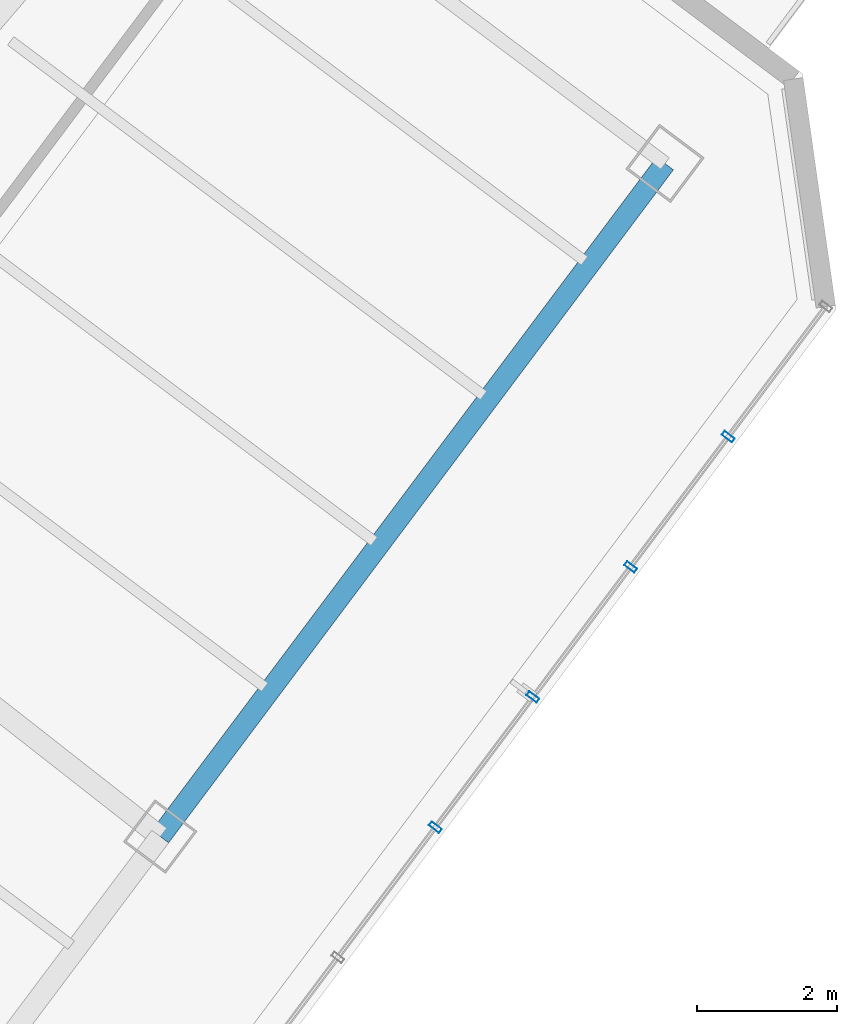
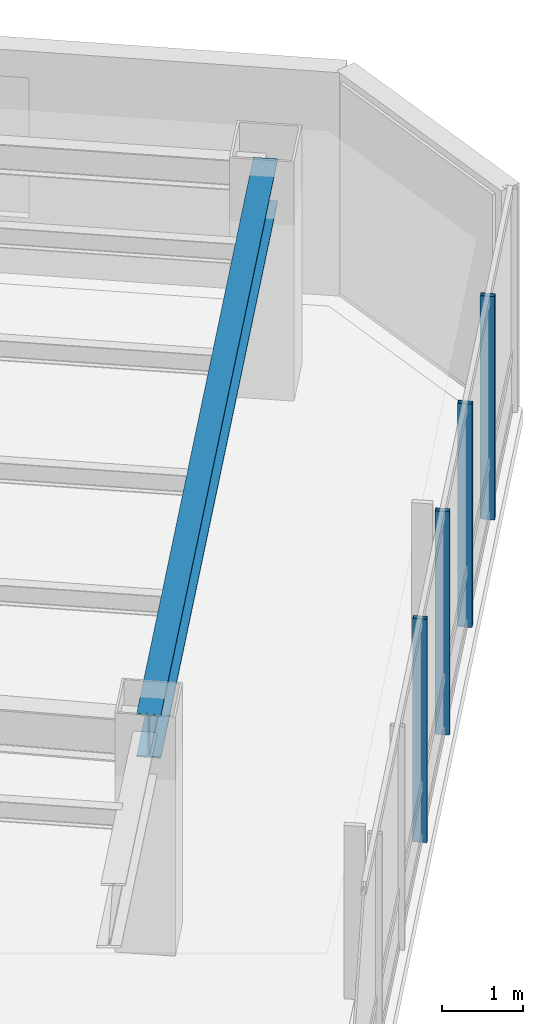
# One storey, part 13 of 28: 4 members, 1 beam, 1 element without a shape of its own.
"""IFC4 building model written with IfcOpenShell, lengths in metres."""

from ifc_helpers import new_model, si_unit, direction, frame, origin, origin_2d, place, context, subcontext, project, spatial, hollow_rectangle, i_section, extrude, material, layer, layer_set, material_profile, profile_set, type_object, element, aggregate, save


model = new_model("IFC4")

# Units and contexts
model_context = context("Model", 3, precision=1e-05, world=origin(), true_north=direction((0.0, 1.0)))
body_context = subcontext(model_context, "Body", "Model", "MODEL_VIEW")
ifc_project = project(units=[si_unit("LENGTHUNIT", "METRE"), si_unit("AREAUNIT", "SQUARE_METRE"), si_unit("VOLUMEUNIT", "CUBIC_METRE"), si_unit("PLANEANGLEUNIT", "RADIAN"), si_unit("MASSUNIT", "GRAM", prefix="KILO")], contexts=[model_context])

# Site, building, storey
site_placement = place(None, origin())
site = spatial("IfcSite", under=ifc_project, at=site_placement, CompositionType="ELEMENT")
building_placement = place(site_placement, origin())
building = spatial("IfcBuilding", under=site, at=building_placement, Name="Hatsunagi Terrace Concourse", CompositionType="ELEMENT")
storey_placement = place(building_placement, frame((0.0, 0.0, 170.85009765625)))
storey = spatial("IfcBuildingStorey", under=building, at=storey_placement, Name="L45", CompositionType="ELEMENT", Elevation=170.85009765625)

# Curtain wall, members
ifc_material_1 = material(Name="Anodised Aluminium Alloy 6063-T5", Category="aluminium")
ifc_layer = layer(ifc_material_1, 0.199951171875)
ifc_layer_set = layer_set([ifc_layer], Name="OfficeZone1_CW03")
curtain_wall_type = type_object("IfcCurtainWallType", Name="OfficeZone1_CW03", PredefinedType="NOTDEFINED", material=ifc_layer_set)
curtain_wall_placement = place(storey_placement, origin())
curtain_wall = element("IfcCurtainWall", 1, at=curtain_wall_placement, inside=storey, type_object=curtain_wall_type, Name="Unitised Curtain Wall CW-03 CW-L45-03", PredefinedType="NOTDEFINED")
ifc_material_2 = material(Name="Anodised Aluminium Alloy 6063-T5", Category="aluminium")
ifc_material_profile_1 = material_profile(ifc_material_2, hollow_rectangle(XDim=0.070068359375, YDim=0.179931640625, WallThickness=0.00390625, at=origin_2d()), Name="ALU-MUL-180x70x4")
ifc_profile_set_1 = profile_set([ifc_material_profile_1], Name="Anodised Aluminium Alloy 6063-T5")
member_type = type_object("IfcMemberType", Name="CurtainWallMullion_180x70", PredefinedType="MULLION", material=ifc_profile_set_1)
member_1_placement = place(storey_placement, frame((59.301025390625, 24.10205078125, 0.0), z_axis=(0.0, 0.0, 1.0), x_axis=(-0.599969314634, -0.800023013105, 0.0)))
member_1 = element("IfcMember", 2, at=member_1_placement, type_object=member_type, Name="Curtain Wall Mullion MUL-02", PredefinedType="MULLION", context=body_context, shape_type="SweptSolid", body=[
    extrude(hollow_rectangle(XDim=0.070068359375, YDim=0.179931640625, WallThickness=0.00390625, at=origin_2d()), origin(), (0.0, 0.0, 1.0), 3.349853515625),
])
member_2_placement = place(storey_placement, frame((57.908935546875, 22.2451171875, 0.0), z_axis=(0.0, 0.0, 1.0), x_axis=(-0.599969314634, -0.800023013105, 0.0)))
member_2 = element("IfcMember", 3, at=member_2_placement, type_object=member_type, Name="Curtain Wall Mullion MUL-02", PredefinedType="MULLION", context=body_context, shape_type="SweptSolid", body=[
    extrude(hollow_rectangle(XDim=0.070068359375, YDim=0.179931640625, WallThickness=0.00390625, at=origin_2d()), origin(), (0.0, 0.0, 1.0), 3.349853515625),
])
member_3_placement = place(storey_placement, frame((56.51611328125, 20.388916015625, 0.0), z_axis=(0.0, 0.0, 1.0), x_axis=(-0.599969314634, -0.800023013105, 0.0)))
member_3 = element("IfcMember", 4, at=member_3_placement, type_object=member_type, Name="Curtain Wall Mullion MUL-02", PredefinedType="MULLION", context=body_context, shape_type="SweptSolid", body=[
    extrude(hollow_rectangle(XDim=0.070068359375, YDim=0.179931640625, WallThickness=0.00390625, at=origin_2d()), origin(), (0.0, 0.0, 1.0), 3.349853515625),
])
member_4_placement = place(storey_placement, frame((55.1240234375, 18.531982421875, 0.0), z_axis=(0.0, 0.0, 1.0), x_axis=(-0.599969314634, -0.800023013105, 0.0)))
member_4 = element("IfcMember", 5, at=member_4_placement, type_object=member_type, Name="Curtain Wall Mullion MUL-02", PredefinedType="MULLION", context=body_context, shape_type="SweptSolid", body=[
    extrude(hollow_rectangle(XDim=0.070068359375, YDim=0.179931640625, WallThickness=0.00390625, at=origin_2d()), origin(), (0.0, 0.0, 1.0), 3.349853515625),
])
aggregate(curtain_wall, [member_1, member_2, member_3, member_4])

# Beam
ifc_material_3 = material(Name="Steel SN490B", Category="steel")
ifc_material_profile_2 = material_profile(ifc_material_3, i_section(OverallWidth=0.300048828125, OverallDepth=0.64990234375, WebThickness=0.012939453125, FlangeThickness=0.02197265625, FilletRadius=0.01806640625, at=origin_2d()), Name="H-650x300x13x22")
ifc_profile_set_2 = profile_set([ifc_material_profile_2], Name="Steel SN490B")
beam_type = type_object("IfcBeamType", Name="OfficeLowGirder_H_650x300", PredefinedType="BEAM", material=ifc_profile_set_2)
beam_placement = place(storey_placement, frame((51.199951171875, 18.39990234375, 3.02490234375), z_axis=(0.59999348959, 0.800004882766, 0.0), x_axis=(-0.800004882766, 0.59999348959, 0.0)))
element("IfcBeam", 6, at=beam_placement, inside=storey, type_object=beam_type, Name="Beam G-05 BM-L45-SET-2B", PredefinedType="BEAM", context=body_context, shape_type="SweptSolid", body=[
    extrude(i_section(OverallWidth=0.300048828125, OverallDepth=0.64990234375, WebThickness=0.012939453125, FlangeThickness=0.02197265625, FilletRadius=0.01806640625, at=origin_2d()), origin(), (0.0, 0.0, 1.0), 12.0),
])

save(model, "model.ifc")
